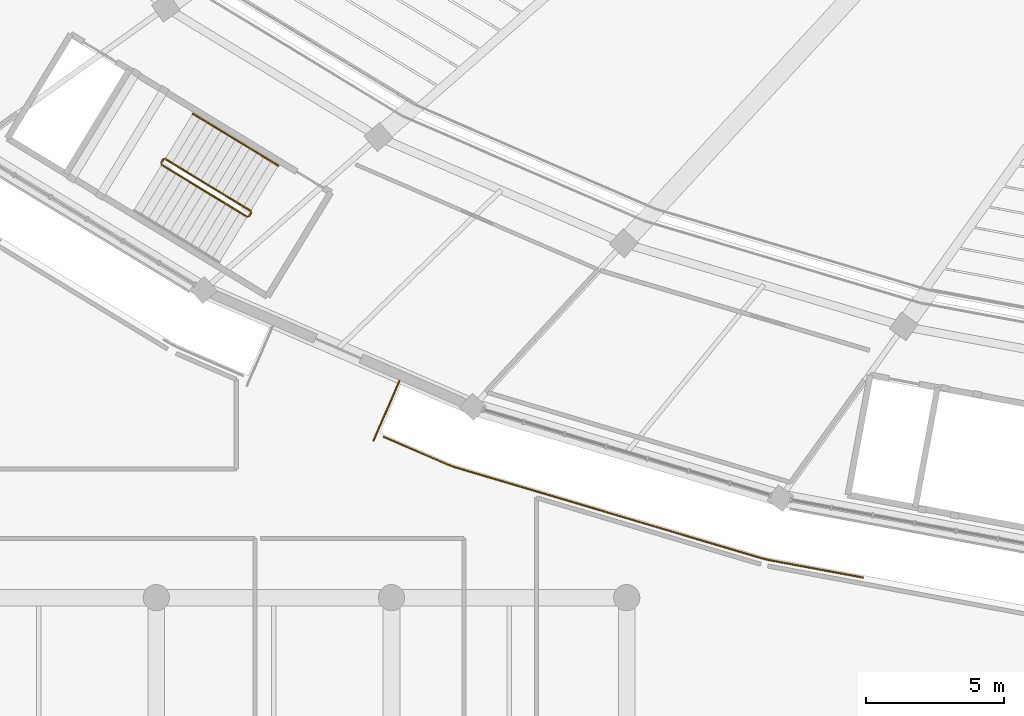
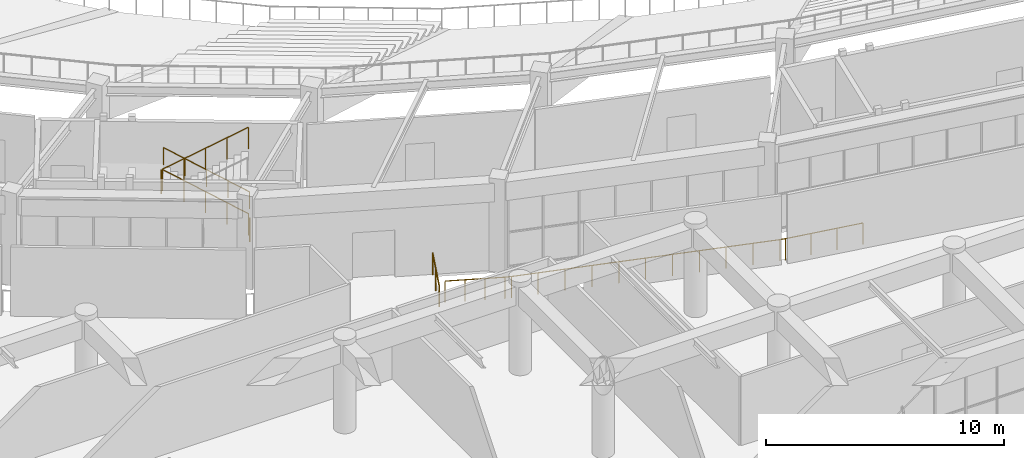
# One storey, part 111 of 137: 7 railings.
"""IFC4 building model written with IfcOpenShell, lengths in metres."""

from ifc_helpers import new_model, si_unit, direction, frame, origin, origin_2d, place, context, subcontext, project, spatial, circle, extrude, material, type_object, element, save


model = new_model("IFC4")

# Units and contexts
model_context = context("Model", 3, precision=1e-05, world=origin(), true_north=direction((0.0, 1.0)))
body_context = subcontext(model_context, "Body", "Model", "MODEL_VIEW")
ifc_project = project(units=[si_unit("LENGTHUNIT", "METRE"), si_unit("AREAUNIT", "SQUARE_METRE"), si_unit("VOLUMEUNIT", "CUBIC_METRE"), si_unit("PLANEANGLEUNIT", "RADIAN"), si_unit("MASSUNIT", "GRAM", prefix="KILO")], contexts=[model_context])

# Site, building, storey
site_placement = place(None, origin())
site = spatial("IfcSite", under=ifc_project, at=site_placement, CompositionType="ELEMENT")
building_placement = place(site_placement, origin())
building = spatial("IfcBuilding", under=site, at=building_placement, Name="Mphavela Belvedere Stadium", CompositionType="ELEMENT")
storey_placement = place(building_placement, frame((0.0, 0.0, 19.199951171875)))
storey = spatial("IfcBuildingStorey", under=building, at=storey_placement, Name="L04", CompositionType="ELEMENT", Elevation=19.199951171875)

# Railings
ifc_material_1 = material(Name="Bronze and laminated glass stadium balustrade", Category="glass")
railing_type_1 = type_object("IfcRailingType", Name="RAL-BALUSTRADE-1120", PredefinedType="BALUSTRADE", material=ifc_material_1)
railing_1_placement = place(storey_placement, frame((51.397216796875, 21.84619140625, 0.0)))
element("IfcRailing", 1, at=railing_1_placement, inside=storey, type_object=railing_type_1, Name="Colonnade link bridge balustrade L04-32B", PredefinedType="BALUSTRADE", context=body_context, shape_type="SweptSolid", body=[
    extrude(circle(Radius=0.02392578125, at=origin_2d()), frame((0.0, 0.0, 1.09619140625), z_axis=(-0.397677406785, -0.917525302176, 0.0), x_axis=(0.917525302176, -0.397677406785, 0.0)), (0.0, 0.0, 1.0), 2.35009765625),
    extrude(circle(Radius=0.02099609375, at=origin_2d()), origin(), (0.0, 0.0, 1.0), 1.072021484375),
    extrude(circle(Radius=0.02099609375, at=origin_2d()), frame((-0.46728515625, -1.078125, 0.0)), (0.0, 0.0, 1.0), 1.072021484375),
    extrude(circle(Radius=0.02099609375, at=origin_2d()), frame((-0.9345703125, -2.15625, 0.0)), (0.0, 0.0, 1.0), 1.072021484375),
])
railing_2_placement = place(storey_placement, frame((50.826904296875, 19.826416015625, 0.0)))
element("IfcRailing", 2, at=railing_2_placement, inside=storey, type_object=railing_type_1, Name="Peristyle wing gallery edge balustrade L04-03", PredefinedType="BALUSTRADE", context=body_context, shape_type="SweptSolid", body=[
    extrude(circle(Radius=0.02392578125, at=origin_2d()), frame((0.0, 0.0, 1.09619140625), z_axis=(0.917490104343, -0.397758605731, 0.0), x_axis=(0.397758605731, 0.917490104343, 0.0)), (0.0, 0.0, 1.0), 2.5380859375),
    extrude(circle(Radius=0.02392578125, at=origin_2d()), frame((2.32861328125, -1.009521484375, 1.09619140625), z_axis=(0.93961160912, -0.342242639083, 0.0), x_axis=(0.342242639083, 0.93961160912, 0.0)), (0.0, 0.0, 1.0), 0.274658203125),
    extrude(circle(Radius=0.02392578125, at=origin_2d()), frame((2.586669921875, -1.103515625, 1.09619140625), z_axis=(0.958663797484, -0.284541250776, 0.0), x_axis=(0.284541250776, 0.958663797484, 0.0)), (0.0, 0.0, 1.0), 11.61669921875),
    extrude(circle(Radius=0.02392578125, at=origin_2d()), frame((13.72314453125, -4.408935546875, 1.09619140625), z_axis=(0.972275475429, -0.233838405483, 0.0), x_axis=(0.233838405483, 0.972275475429, 0.0)), (0.0, 0.0, 1.0), 0.238037109375),
    extrude(circle(Radius=0.02392578125, at=origin_2d()), frame((13.95458984375, -4.464599609375, 1.09619140625), z_axis=(0.983089595219, -0.183125224291, 0.0), x_axis=(0.183125224291, 0.983089595219, 0.0)), (0.0, 0.0, 1.0), 3.459716796875),
    extrude(circle(Radius=0.02099609375, at=origin_2d()), origin(), (0.0, 0.0, 1.0), 1.072021484375),
    extrude(circle(Radius=0.02099609375, at=origin_2d()), frame((0.776123046875, -0.33642578125, 0.0)), (0.0, 0.0, 1.0), 1.072021484375),
    extrude(circle(Radius=0.02099609375, at=origin_2d()), frame((1.552490234375, -0.673095703125, 0.0)), (0.0, 0.0, 1.0), 1.072021484375),
    extrude(circle(Radius=0.02099609375, at=origin_2d()), frame((2.32861328125, -1.009521484375, 0.0)), (0.0, 0.0, 1.0), 1.072021484375),
    extrude(circle(Radius=0.02099609375, at=origin_2d()), frame((2.586669921875, -1.103515625, 0.0)), (0.0, 0.0, 1.0), 1.072021484375),
    extrude(circle(Radius=0.02099609375, at=origin_2d()), frame((3.7001953125, -1.43408203125, 0.0)), (0.0, 0.0, 1.0), 1.072021484375),
    extrude(circle(Radius=0.02099609375, at=origin_2d()), frame((4.81396484375, -1.7646484375, 0.0)), (0.0, 0.0, 1.0), 1.072021484375),
    extrude(circle(Radius=0.02099609375, at=origin_2d()), frame((5.927734375, -2.09521484375, 0.0)), (0.0, 0.0, 1.0), 1.072021484375),
    extrude(circle(Radius=0.02099609375, at=origin_2d()), frame((7.041259765625, -2.42578125, 0.0)), (0.0, 0.0, 1.0), 1.072021484375),
    extrude(circle(Radius=0.02099609375, at=origin_2d()), frame((8.15478515625, -2.75634765625, 0.0)), (0.0, 0.0, 1.0), 1.072021484375),
    extrude(circle(Radius=0.02099609375, at=origin_2d()), frame((9.2685546875, -3.086669921875, 0.0)), (0.0, 0.0, 1.0), 1.072021484375),
    extrude(circle(Radius=0.02099609375, at=origin_2d()), frame((10.38232421875, -3.417236328125, 0.0)), (0.0, 0.0, 1.0), 1.072021484375),
    extrude(circle(Radius=0.02099609375, at=origin_2d()), frame((11.495849609375, -3.747802734375, 0.0)), (0.0, 0.0, 1.0), 1.072021484375),
    extrude(circle(Radius=0.02099609375, at=origin_2d()), frame((12.609375, -4.078369140625, 0.0)), (0.0, 0.0, 1.0), 1.072021484375),
    extrude(circle(Radius=0.02099609375, at=origin_2d()), frame((13.72314453125, -4.408935546875, 0.0)), (0.0, 0.0, 1.0), 1.072021484375),
    extrude(circle(Radius=0.02099609375, at=origin_2d()), frame((13.95458984375, -4.464599609375, 0.0)), (0.0, 0.0, 1.0), 1.072021484375),
    extrude(circle(Radius=0.02099609375, at=origin_2d()), frame((15.08837890625, -4.67578125, 0.0)), (0.0, 0.0, 1.0), 1.072021484375),
    extrude(circle(Radius=0.02099609375, at=origin_2d()), frame((16.221923828125, -4.886962890625, 0.0)), (0.0, 0.0, 1.0), 1.072021484375),
    extrude(circle(Radius=0.02099609375, at=origin_2d()), frame((17.355712890625, -5.09814453125, 0.0)), (0.0, 0.0, 1.0), 1.072021484375),
])
ifc_material_2 = material(Name="Painted galvanised steel stair guardrail", Category="steel")
railing_type_2 = type_object("IfcRailingType", Name="RAL-GUARD-1120", PredefinedType="GUARDRAIL", material=ifc_material_2)
railing_3_placement = place(storey_placement, frame((46.01171875, 28.00634765625, 0.1845703125)))
element("IfcRailing", 3, at=railing_3_placement, inside=storey, type_object=railing_type_2, Name="L04 ST-C10 stair guard 1", PredefinedType="GUARDRAIL", context=body_context, shape_type="SweptSolid", body=[
    extrude(circle(Radius=0.02392578125, at=origin_2d()), frame((0.0, 0.0, 1.09619140625), z_axis=(-0.728929374176, 0.443381264185, 0.521608111548), x_axis=(-0.519677634444, -0.854362426759, 0.0)), (0.0, 0.0, 1.0), 4.24755859375),
    extrude(circle(Radius=0.02099609375, at=origin_2d()), origin(), (0.0, 0.0, 1.0), 1.072021484375),
    extrude(circle(Radius=0.02099609375, at=origin_2d()), frame((-0.77392578125, 0.470703125, 0.553955078125)), (0.0, 0.0, 1.0), 1.072021484375),
    extrude(circle(Radius=0.02099609375, at=origin_2d()), frame((-1.548095703125, 0.941650390625, 1.10791015625)), (0.0, 0.0, 1.0), 1.072021484375),
    extrude(circle(Radius=0.02099609375, at=origin_2d()), frame((-2.322265625, 1.41259765625, 1.66162109375)), (0.0, 0.0, 1.0), 1.072021484375),
    extrude(circle(Radius=0.02099609375, at=origin_2d()), frame((-3.09619140625, 1.88330078125, 2.215576171875)), (0.0, 0.0, 1.0), 1.072021484375),
])
railing_4_placement = place(storey_placement, frame((42.8466796875, 29.873046875, 2.400146484375)))
element("IfcRailing", 4, at=railing_4_placement, inside=storey, type_object=railing_type_2, Name="L04 ST-C10 stair guard 2", PredefinedType="GUARDRAIL", context=body_context, shape_type="SweptSolid", body=[
    extrude(circle(Radius=0.02392578125, at=origin_2d()), frame((0.0, 0.0, 1.09619140625), z_axis=(-0.51927544977, -0.85460693144, 0.0), x_axis=(0.85460693144, -0.51927544977, 0.0)), (0.0, 0.0, 1.0), 0.14990234375),
    extrude(circle(Radius=0.02099609375, at=origin_2d()), origin(), (0.0, 0.0, 1.0), 1.072021484375),
    extrude(circle(Radius=0.02099609375, at=origin_2d()), frame((-0.077880859375, -0.128173828125, 0.0)), (0.0, 0.0, 1.0), 1.072021484375),
])
railing_5_placement = place(storey_placement, frame((42.78564453125, 29.676025390625, 2.584716796875)))
element("IfcRailing", 5, at=railing_5_placement, inside=storey, type_object=railing_type_2, Name="L04 ST-C10 stair guard 3", PredefinedType="GUARDRAIL", context=body_context, shape_type="SweptSolid", body=[
    extrude(circle(Radius=0.02392578125, at=origin_2d()), frame((0.0, 0.0, 1.09619140625), z_axis=(0.728951227781, -0.443394556939, 0.521566270374), x_axis=(0.519677634444, 0.854362426759, 0.0)), (0.0, 0.0, 1.0), 4.24755859375),
    extrude(circle(Radius=0.02099609375, at=origin_2d()), origin(), (0.0, 0.0, 1.0), 1.072021484375),
    extrude(circle(Radius=0.02099609375, at=origin_2d()), frame((0.77392578125, -0.470703125, 0.5537109375)), (0.0, 0.0, 1.0), 1.072021484375),
    extrude(circle(Radius=0.02099609375, at=origin_2d()), frame((1.548095703125, -0.941650390625, 1.107666015625)), (0.0, 0.0, 1.0), 1.072021484375),
    extrude(circle(Radius=0.02099609375, at=origin_2d()), frame((2.322265625, -1.41259765625, 1.66162109375)), (0.0, 0.0, 1.0), 1.072021484375),
    extrude(circle(Radius=0.02099609375, at=origin_2d()), frame((3.09619140625, -1.88330078125, 2.21533203125)), (0.0, 0.0, 1.0), 1.072021484375),
])
railing_6_placement = place(storey_placement, frame((46.028564453125, 27.937744140625, 0.0)))
element("IfcRailing", 6, at=railing_6_placement, inside=storey, type_object=railing_type_2, Name="L04 ST-C10 stair guard 4", PredefinedType="GUARDRAIL", context=body_context, shape_type="SweptSolid", body=[
    extrude(circle(Radius=0.02392578125, at=origin_2d()), frame((0.0, 0.0, 1.09619140625), z_axis=(-0.520462828118, -0.853884327381, 0.0), x_axis=(0.853884327381, -0.520462828118, 0.0)), (0.0, 0.0, 1.0), 0.150146484375),
    extrude(circle(Radius=0.02099609375, at=origin_2d()), origin(), (0.0, 0.0, 1.0), 1.072021484375),
    extrude(circle(Radius=0.02099609375, at=origin_2d()), frame((-0.078125, -0.128173828125, 0.0)), (0.0, 0.0, 1.0), 1.072021484375),
])
ifc_material_3 = material(Name="Brushed stainless steel tubular handrail", Category="steel")
railing_type_3 = type_object("IfcRailingType", Name="RAL-HANDRAIL-900", PredefinedType="HANDRAIL", material=ifc_material_3)
railing_7_placement = place(storey_placement, frame((47.009521484375, 29.646728515625, 0.1845703125)))
element("IfcRailing", 7, at=railing_7_placement, inside=storey, type_object=railing_type_3, Name="L04 ST-C10 stair handrail 1", PredefinedType="HANDRAIL", context=body_context, shape_type="SweptSolid", body=[
    extrude(circle(Radius=0.02392578125, at=origin_2d()), frame((0.0, 0.0, 0.8759765625), z_axis=(-0.728929374176, 0.443381264185, 0.521608111548), x_axis=(-0.519677634444, -0.854362426759, 0.0)), (0.0, 0.0, 1.0), 4.24755859375),
    extrude(circle(Radius=0.02099609375, at=origin_2d()), origin(), (0.0, 0.0, 1.0), 0.851806640625),
    extrude(circle(Radius=0.02099609375, at=origin_2d()), frame((-0.77392578125, 0.470703125, 0.553955078125)), (0.0, 0.0, 1.0), 0.851806640625),
    extrude(circle(Radius=0.02099609375, at=origin_2d()), frame((-1.548095703125, 0.941650390625, 1.10791015625)), (0.0, 0.0, 1.0), 0.851806640625),
    extrude(circle(Radius=0.02099609375, at=origin_2d()), frame((-2.322265625, 1.41259765625, 1.66162109375)), (0.0, 0.0, 1.0), 0.851806640625),
    extrude(circle(Radius=0.02099609375, at=origin_2d()), frame((-3.09619140625, 1.88330078125, 2.215576171875)), (0.0, 0.0, 1.0), 0.851806640625),
])

save(model, "model.ifc")
